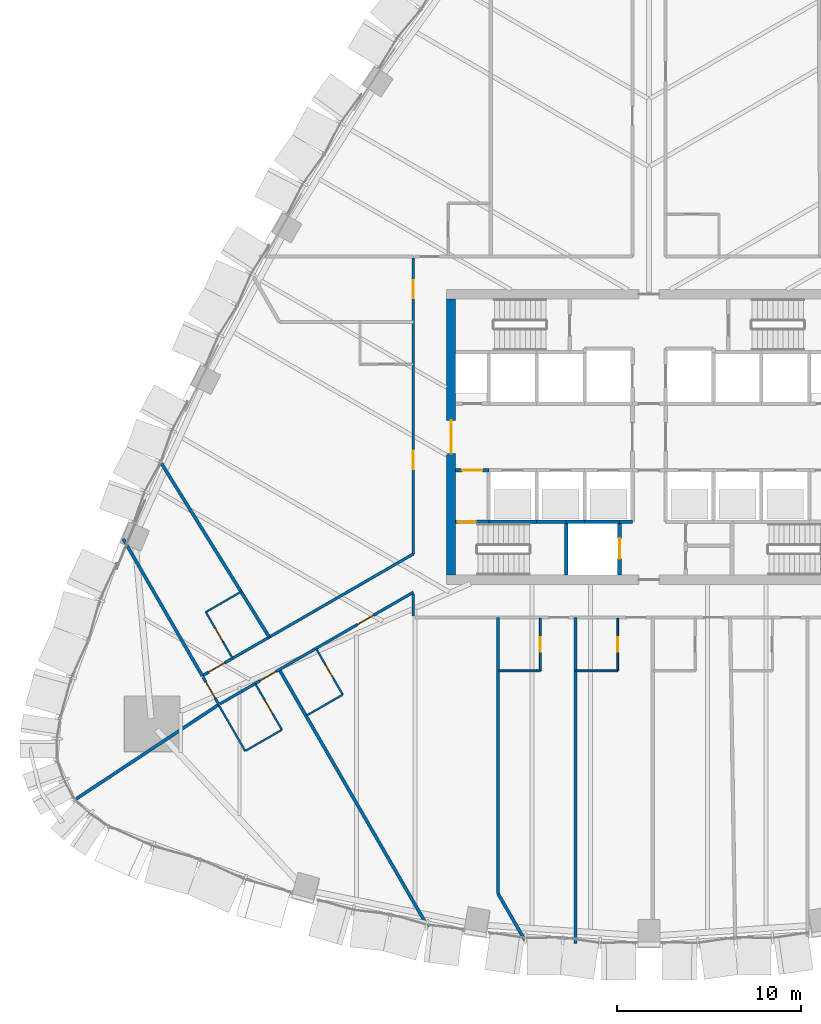
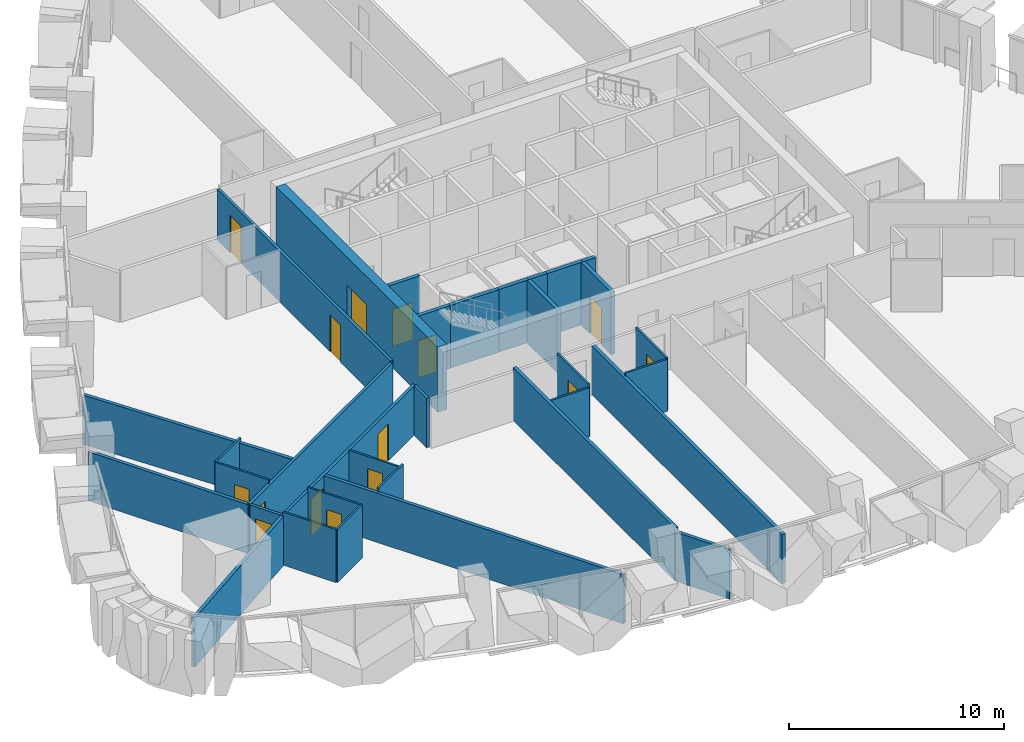
# One storey, part 15 of 24: 33 walls, 15 doors, 15 openings.
"""IFC4 building model written with IfcOpenShell, lengths in metres."""

from ifc_helpers import new_model, si_unit, direction, frame, frame_2d, origin, place, context, subcontext, project, spatial, rectangle, extrude, material, layer, layer_set, type_object, element, fill, save


model = new_model("IFC4")

# Units and contexts
model_context = context("Model", 3, precision=1e-05, world=origin(), true_north=direction((0.0, 1.0)))
body_context = subcontext(model_context, "Body", "Model", "MODEL_VIEW")
ifc_project = project(units=[si_unit("LENGTHUNIT", "METRE"), si_unit("AREAUNIT", "SQUARE_METRE"), si_unit("VOLUMEUNIT", "CUBIC_METRE"), si_unit("PLANEANGLEUNIT", "RADIAN"), si_unit("MASSUNIT", "GRAM", prefix="KILO")], contexts=[model_context])

# Site, building, storey
site_placement = place(None, origin())
site = spatial("IfcSite", under=ifc_project, at=site_placement, CompositionType="ELEMENT")
building_placement = place(site_placement, origin())
building = spatial("IfcBuilding", under=site, at=building_placement, Name="Sierra Prisma Convention Tower", CompositionType="ELEMENT")
storey_placement = place(building_placement, frame((0.0, 0.0, 55.39990234375)))
storey = spatial("IfcBuildingStorey", under=building, at=storey_placement, Name="L09", CompositionType="ELEMENT", Elevation=55.39990234375)

# Wall, opening, door
ifc_material_1 = material(Name="Gypsum board partition", Category="gypsum")
ifc_layer_1 = layer(ifc_material_1, 0.10009765625)
ifc_layer_set_1 = layer_set([ifc_layer_1], Name="Bathroom partition 100")
wall_type_1 = type_object("IfcWallType", Name="Bathroom partition 100", PredefinedType="PARTITIONING", material=ifc_layer_set_1)
wall_1_placement = place(storey_placement, frame((-21.37158203125, -13.41259765625, 0.0), z_axis=(0.0, 0.0, 1.0), x_axis=(0.499999802827, -0.866025517622, 0.0)))
wall_1 = element("IfcWall", 1, at=wall_1_placement, inside=storey, type_object=wall_type_1, Name="Partition L09 bath 1", PredefinedType="PARTITIONING", context=body_context, shape_type="SweptSolid", body=[
    extrude(rectangle(XDim=2.8701171875, YDim=0.10009765625, at=frame_2d((1.43505859375, 0.0))), origin(), (0.0, 0.0, 1.0), 3.0),
])
opening_1_placement = place(wall_1_placement, frame((1.034912109375, 0.0, 0.0)))
opening_1 = element("IfcOpeningElement", 2, at=opening_1_placement, cuts=wall_1, Name="Opening L09-D008", PredefinedType="OPENING", context=body_context, shape_type="SweptSolid", body=[
    extrude(rectangle(XDim=0.800048828125, YDim=2.10009765625, at=frame_2d((0.39990234375, 1.050048828125))), frame((0.0, 0.050048828125, 0.0), z_axis=(0.0, -1.0, 0.0), x_axis=(1.0, 0.0, 0.0)), (0.0, 0.0, 1.0), 0.10009765625),
])
ifc_material_2 = material(Name="Solid core timber door leaf", Category="wood")
door_type_1 = type_object("IfcDoorType", Name="Door 800x2100 plain", OperationType="SINGLE_SWING_LEFT", PredefinedType="DOOR", material=ifc_material_2)
door_1_placement = place(opening_1_placement, origin())
door_1 = element("IfcDoor", 3, at=door_1_placement, inside=storey, type_object=door_type_1, Name="Door L09 19", OperationType="SINGLE_SWING_LEFT", OverallHeight=2.10009765625, OverallWidth=0.800048828125, PredefinedType="DOOR", context=body_context, shape_type="SweptSolid", body=[
    extrude(rectangle(XDim=0.800048828125, YDim=2.10009765625, at=frame_2d((0.39990234375, 1.050048828125))), frame((0.0, 0.02490234375, 0.0), z_axis=(0.0, -1.0, 0.0), x_axis=(1.0, 0.0, 0.0)), (0.0, 0.0, 1.0), 0.050048828125),
])
fill(opening_1, door_1)

# Walls
wall_2_placement = place(storey_placement, frame((-19.9365234375, -15.898193359375, 0.0), z_axis=(0.0, 0.0, 1.0), x_axis=(-0.86602648383, -0.499998129301, 0.0)))
element("IfcWall", 4, at=wall_2_placement, inside=storey, type_object=wall_type_1, Name="Partition L09 bath 2", PredefinedType="PARTITIONING", context=body_context, shape_type="SweptSolid", body=[
    extrude(rectangle(XDim=2.2998046875, YDim=0.10009765625, at=frame_2d((1.14990234375, 0.0))), origin(), (0.0, 0.0, 1.0), 3.0),
])
wall_3_placement = place(storey_placement, frame((-21.92822265625, -17.048095703125, 0.0), z_axis=(0.0, 0.0, 1.0), x_axis=(-0.500036638401, 0.866004249561, 0.0)))
element("IfcWall", 5, at=wall_3_placement, inside=storey, type_object=wall_type_1, Name="Partition L09 bath 3", PredefinedType="PARTITIONING", context=body_context, shape_type="SweptSolid", body=[
    extrude(rectangle(XDim=2.869873046875, YDim=0.10009765625, at=frame_2d((1.43505859375, 0.0))), origin(), (0.0, 0.0, 1.0), 3.0),
])

# Wall, opening, door
wall_4_placement = place(storey_placement, frame((-22.630615234375, -11.991943359375, 0.0), z_axis=(0.0, 0.0, 1.0), x_axis=(-0.499999802827, 0.866025517622, 0.0)))
wall_4 = element("IfcWall", 6, at=wall_4_placement, inside=storey, type_object=wall_type_1, Name="Partition L09 bath 4", PredefinedType="PARTITIONING", context=body_context, shape_type="SweptSolid", body=[
    extrude(rectangle(XDim=2.8701171875, YDim=0.10009765625, at=frame_2d((1.43505859375, 0.0))), origin(), (0.0, 0.0, 1.0), 3.0),
])
opening_2_placement = place(wall_4_placement, frame((1.034912109375, 0.0, 0.0)))
opening_2 = element("IfcOpeningElement", 7, at=opening_2_placement, cuts=wall_4, Name="Opening L09-D007", PredefinedType="OPENING", context=body_context, shape_type="SweptSolid", body=[
    extrude(rectangle(XDim=0.800048828125, YDim=2.10009765625, at=frame_2d((0.39990234375, 1.050048828125))), frame((0.0, 0.050048828125, 0.0), z_axis=(0.0, -1.0, 0.0), x_axis=(1.0, 0.0, 0.0)), (0.0, 0.0, 1.0), 0.10009765625),
])
door_2_placement = place(opening_2_placement, origin())
door_2 = element("IfcDoor", 8, at=door_2_placement, inside=storey, type_object=door_type_1, Name="Door L09 16", OperationType="SINGLE_SWING_LEFT", OverallHeight=2.10009765625, OverallWidth=0.800048828125, PredefinedType="DOOR", context=body_context, shape_type="SweptSolid", body=[
    extrude(rectangle(XDim=0.800048828125, YDim=2.10009765625, at=frame_2d((0.39990234375, 1.050048828125))), frame((0.0, 0.02490234375, 0.0), z_axis=(0.0, -1.0, 0.0), x_axis=(1.0, 0.0, 0.0)), (0.0, 0.0, 1.0), 0.050048828125),
])
fill(opening_2, door_2)

# Wall
wall_5_placement = place(storey_placement, frame((-24.065673828125, -9.50634765625, 0.0), z_axis=(0.0, 0.0, 1.0), x_axis=(0.866044110172, 0.499967598186, 0.0)))
element("IfcWall", 9, at=wall_5_placement, inside=storey, type_object=wall_type_1, Name="Partition L09 bath 5", PredefinedType="PARTITIONING", context=body_context, shape_type="SweptSolid", body=[
    extrude(rectangle(XDim=2.270263671875, YDim=0.10009765625, at=frame_2d((1.13525390625, 0.0))), origin(), (0.0, 0.0, 1.0), 3.0),
])

# Wall, opening, door
wall_6_placement = place(storey_placement, frame((-18.06787109375, -11.50537109375, 0.0), z_axis=(0.0, 0.0, 1.0), x_axis=(0.500036638401, -0.866004249561, 0.0)))
wall_6 = element("IfcWall", 10, at=wall_6_placement, inside=storey, type_object=wall_type_1, Name="Partition L09 bath 6", PredefinedType="PARTITIONING", context=body_context, shape_type="SweptSolid", body=[
    extrude(rectangle(XDim=2.869873046875, YDim=0.10009765625, at=frame_2d((1.43505859375, 0.0))), origin(), (0.0, 0.0, 1.0), 2.797119140625),
])
opening_3_placement = place(wall_6_placement, frame((1.034912109375, 0.0, 0.0)))
opening_3 = element("IfcOpeningElement", 11, at=opening_3_placement, cuts=wall_6, Name="Opening L09-D009", PredefinedType="OPENING", context=body_context, shape_type="SweptSolid", body=[
    extrude(rectangle(XDim=0.800048828125, YDim=2.10009765625, at=frame_2d((0.39990234375, 1.050048828125))), frame((0.0, 0.050048828125, 0.0), z_axis=(0.0, -1.0, 0.0), x_axis=(1.0, 0.0, 0.0)), (0.0, 0.0, 1.0), 0.10009765625),
])
door_3_placement = place(opening_3_placement, origin())
door_3 = element("IfcDoor", 12, at=door_3_placement, inside=storey, type_object=door_type_1, Name="Door L09 21", OperationType="SINGLE_SWING_RIGHT", OverallHeight=2.10009765625, OverallWidth=0.800048828125, PredefinedType="DOOR", context=body_context, shape_type="SweptSolid", body=[
    extrude(rectangle(XDim=0.800048828125, YDim=2.10009765625, at=frame_2d((0.39990234375, 1.050048828125))), frame((0.0, 0.02490234375, 0.0), z_axis=(0.0, -1.0, 0.0), x_axis=(1.0, 0.0, 0.0)), (0.0, 0.0, 1.0), 0.050048828125),
])
fill(opening_3, door_3)

# Wall
wall_7_placement = place(storey_placement, frame((-16.6328125, -13.99072265625, 0.0), z_axis=(0.0, 0.0, 1.0), x_axis=(-0.866017224141, -0.500014167291, 0.0)))
element("IfcWall", 13, at=wall_7_placement, inside=storey, type_object=wall_type_1, Name="Partition L09 bath 7", PredefinedType="PARTITIONING", context=body_context, shape_type="SweptSolid", body=[
    extrude(rectangle(XDim=2.27001953125, YDim=0.10009765625, at=frame_2d((1.135009765625, 0.0))), origin(), (0.0, 0.0, 1.0), 3.0),
])

# Wall, opening, door
wall_8_placement = place(storey_placement, frame((-5.89990234375, -9.830078125, 0.0), z_axis=(0.0, 0.0, 1.0), x_axis=(0.0, -1.0, 0.0)))
wall_8 = element("IfcWall", 14, at=wall_8_placement, inside=storey, type_object=wall_type_1, Name="Partition L09 bath 12", PredefinedType="PARTITIONING", context=body_context, shape_type="SweptSolid", body=[
    extrude(rectangle(XDim=2.869873046875, YDim=0.10009765625, at=frame_2d((1.43505859375, 0.0))), origin(), (0.0, 0.0, 1.0), 3.0),
])
opening_4_placement = place(wall_8_placement, frame((1.034912109375, 0.0, 0.0)))
opening_4 = element("IfcOpeningElement", 15, at=opening_4_placement, cuts=wall_8, Name="Opening L09-D010", PredefinedType="OPENING", context=body_context, shape_type="SweptSolid", body=[
    extrude(rectangle(XDim=0.800048828125, YDim=2.10009765625, at=frame_2d((0.39990234375, 1.050048828125))), frame((0.0, 0.050048828125, 0.0), z_axis=(0.0, -1.0, 0.0), x_axis=(1.0, 0.0, 0.0)), (0.0, 0.0, 1.0), 0.10009765625),
])
door_4_placement = place(opening_4_placement, origin())
door_4 = element("IfcDoor", 16, at=door_4_placement, inside=storey, type_object=door_type_1, Name="Door L09 23", OperationType="SINGLE_SWING_RIGHT", OverallHeight=2.10009765625, OverallWidth=0.800048828125, PredefinedType="DOOR", context=body_context, shape_type="SweptSolid", body=[
    extrude(rectangle(XDim=0.800048828125, YDim=2.10009765625, at=frame_2d((0.39990234375, 1.050048828125))), frame((0.0, 0.02490234375, 0.0), z_axis=(0.0, -1.0, 0.0), x_axis=(1.0, 0.0, 0.0)), (0.0, 0.0, 1.0), 0.050048828125),
])
fill(opening_4, door_4)

# Wall
wall_9_placement = place(storey_placement, frame((-5.89990234375, -12.699951171875, 0.0), z_axis=(0.0, 0.0, 1.0), x_axis=(-1.0, 0.0, 0.0)))
element("IfcWall", 17, at=wall_9_placement, inside=storey, type_object=wall_type_1, Name="Partition L09 bath 13", PredefinedType="PARTITIONING", context=body_context, shape_type="SweptSolid", body=[
    extrude(rectangle(XDim=2.27001953125, YDim=0.10009765625, at=frame_2d((1.135009765625, 0.0))), origin(), (0.0, 0.0, 1.0), 2.797119140625),
])

# Wall, opening, door
wall_10_placement = place(storey_placement, frame((-1.699951171875, -9.830078125, 0.0), z_axis=(0.0, 0.0, 1.0), x_axis=(0.0, -1.0, 0.0)))
wall_10 = element("IfcWall", 18, at=wall_10_placement, inside=storey, type_object=wall_type_1, Name="Partition L09 bath 14", PredefinedType="PARTITIONING", context=body_context, shape_type="SweptSolid", body=[
    extrude(rectangle(XDim=2.869873046875, YDim=0.10009765625, at=frame_2d((1.43505859375, 0.0))), origin(), (0.0, 0.0, 1.0), 3.0),
])
opening_5_placement = place(wall_10_placement, frame((1.034912109375, 0.0, 0.0)))
opening_5 = element("IfcOpeningElement", 19, at=opening_5_placement, cuts=wall_10, Name="Opening L09-D011", PredefinedType="OPENING", context=body_context, shape_type="SweptSolid", body=[
    extrude(rectangle(XDim=0.800048828125, YDim=2.10009765625, at=frame_2d((0.39990234375, 1.050048828125))), frame((0.0, 0.050048828125, 0.0), z_axis=(0.0, -1.0, 0.0), x_axis=(1.0, 0.0, 0.0)), (0.0, 0.0, 1.0), 0.10009765625),
])
door_5_placement = place(opening_5_placement, origin())
door_5 = element("IfcDoor", 20, at=door_5_placement, inside=storey, type_object=door_type_1, Name="Door L09 25", OperationType="SINGLE_SWING_RIGHT", OverallHeight=2.10009765625, OverallWidth=0.800048828125, PredefinedType="DOOR", context=body_context, shape_type="SweptSolid", body=[
    extrude(rectangle(XDim=0.800048828125, YDim=2.10009765625, at=frame_2d((0.39990234375, 1.050048828125))), frame((0.0, 0.02490234375, 0.0), z_axis=(0.0, -1.0, 0.0), x_axis=(1.0, 0.0, 0.0)), (0.0, 0.0, 1.0), 0.050048828125),
])
fill(opening_5, door_5)

# Wall
wall_11_placement = place(storey_placement, frame((-1.699951171875, -12.699951171875, 0.0), z_axis=(0.0, 0.0, 1.0), x_axis=(-1.0, 0.0, 0.0)))
element("IfcWall", 21, at=wall_11_placement, inside=storey, type_object=wall_type_1, Name="Partition L09 bath 15", PredefinedType="PARTITIONING", context=body_context, shape_type="SweptSolid", body=[
    extrude(rectangle(XDim=2.27001953125, YDim=0.10009765625, at=frame_2d((1.135009765625, 0.0))), origin(), (0.0, 0.0, 1.0), 2.947021484375),
])

# Wall, opening, door
ifc_material_3 = material(Name="Concrete C30/37", Category="concrete")
ifc_layer_2 = layer(ifc_material_3, 0.199951171875)
ifc_layer_set_2 = layer_set([ifc_layer_2], Name="Core wall RC 200 C30/37")
wall_type_2 = type_object("IfcWallType", Name="Core wall RC 200 C30/37", PredefinedType="SOLIDWALL", material=ifc_layer_set_2)
wall_12_placement = place(storey_placement, frame((-10.5, -4.60009765625, 0.0), z_axis=(0.0, 0.0, 1.0), x_axis=(1.0, 0.0, 0.0)))
wall_12 = element("IfcWall", 22, at=wall_12_placement, inside=storey, type_object=wall_type_2, Name="Core wall L09 1", PredefinedType="SOLIDWALL", context=body_context, shape_type="SweptSolid", body=[
    extrude(rectangle(XDim=1.800048828125, YDim=0.199951171875, at=frame_2d((0.89990234375, 0.0))), origin(), (0.0, 0.0, 1.0), 3.550048828125),
])
opening_6_placement = place(wall_12_placement, frame((0.10009765625, 0.0, 0.0)))
opening_6 = element("IfcOpeningElement", 23, at=opening_6_placement, cuts=wall_12, Name="Opening L09-D035", PredefinedType="OPENING", context=body_context, shape_type="SweptSolid", body=[
    extrude(rectangle(XDim=1.0, YDim=2.10009765625, at=frame_2d((0.5, 1.050048828125))), frame((0.0, 0.10009765625, 0.0), z_axis=(0.0, -1.0, 0.0), x_axis=(1.0, 0.0, 0.0)), (0.0, 0.0, 1.0), 0.199951171875),
])
ifc_material_4 = material(Name="Steel fire door leaf", Category="steel")
door_type_2 = type_object("IfcDoorType", Name="Door 1000x2100 FD90S", OperationType="SINGLE_SWING_LEFT", PredefinedType="DOOR", material=ifc_material_4)
door_6_placement = place(opening_6_placement, origin())
door_6 = element("IfcDoor", 24, at=door_6_placement, inside=storey, type_object=door_type_2, Name="Door L09 55", OperationType="SINGLE_SWING_LEFT", OverallHeight=2.10009765625, OverallWidth=1.0, PredefinedType="DOOR", context=body_context, shape_type="SweptSolid", body=[
    extrude(rectangle(XDim=1.0, YDim=2.10009765625, at=frame_2d((0.5, 1.050048828125))), frame((0.0, 0.02490234375, 0.0), z_axis=(0.0, -1.0, 0.0), x_axis=(1.0, 0.0, 0.0)), (0.0, 0.0, 1.0), 0.050048828125),
])
fill(opening_6, door_6)

wall_13_placement = place(storey_placement, frame((-10.5, -1.800048828125, 0.0), z_axis=(0.0, 0.0, 1.0), x_axis=(1.0, 0.0, 0.0)))
wall_13 = element("IfcWall", 25, at=wall_13_placement, inside=storey, type_object=wall_type_2, Name="Core wall L09 2", PredefinedType="SOLIDWALL", context=body_context, shape_type="SweptSolid", body=[
    extrude(rectangle(XDim=1.800048828125, YDim=0.199951171875, at=frame_2d((0.89990234375, 0.0))), origin(), (0.0, 0.0, 1.0), 3.550048828125),
])
opening_7_placement = place(wall_13_placement, frame((0.35009765625, 0.0, 0.0)))
opening_7 = element("IfcOpeningElement", 26, at=opening_7_placement, cuts=wall_13, Name="Opening L09-D029", PredefinedType="OPENING", context=body_context, shape_type="SweptSolid", body=[
    extrude(rectangle(XDim=1.10009765625, YDim=2.10009765625, at=frame_2d((0.550048828125, 1.050048828125))), frame((0.0, 0.10009765625, 0.0), z_axis=(0.0, -1.0, 0.0), x_axis=(1.0, 0.0, 0.0)), (0.0, 0.0, 1.0), 0.199951171875),
])
ifc_material_5 = material(Name="Steel fire door leaf", Category="steel")
door_type_3 = type_object("IfcDoorType", Name="Door 1100x2100 FD90S", OperationType="SINGLE_SWING_LEFT", PredefinedType="DOOR", material=ifc_material_5)
door_7_placement = place(opening_7_placement, origin())
door_7 = element("IfcDoor", 27, at=door_7_placement, inside=storey, type_object=door_type_3, Name="Door L09 49", OperationType="SINGLE_SWING_RIGHT", OverallHeight=2.10009765625, OverallWidth=1.10009765625, PredefinedType="DOOR", context=body_context, shape_type="SweptSolid", body=[
    extrude(rectangle(XDim=1.10009765625, YDim=2.10009765625, at=frame_2d((0.550048828125, 1.050048828125))), frame((0.0, 0.02490234375, 0.0), z_axis=(0.0, -1.0, 0.0), x_axis=(1.0, 0.0, 0.0)), (0.0, 0.0, 1.0), 0.050048828125),
])
fill(opening_7, door_7)

# Walls
wall_14_placement = place(storey_placement, frame((-8.699951171875, -4.60009765625, 0.0), z_axis=(0.0, 0.0, 1.0), x_axis=(1.0, 0.0, 0.0)))
element("IfcWall", 28, at=wall_14_placement, inside=storey, type_object=wall_type_2, Name="Core wall L09 5", PredefinedType="SOLIDWALL", context=body_context, shape_type="SweptSolid", body=[
    extrude(rectangle(XDim=2.599853515625, YDim=0.199951171875, at=frame_2d((1.2998046875, 0.0))), origin(), (0.0, 0.0, 1.0), 3.550048828125),
])
wall_15_placement = place(storey_placement, frame((-6.10009765625, -4.60009765625, 0.0), z_axis=(0.0, 0.0, 1.0), x_axis=(1.0, 0.0, 0.0)))
element("IfcWall", 29, at=wall_15_placement, inside=storey, type_object=wall_type_2, Name="Core wall L09 11", PredefinedType="SOLIDWALL", context=body_context, shape_type="SweptSolid", body=[
    extrude(rectangle(XDim=1.60009765625, YDim=0.199951171875, at=frame_2d((0.800048828125, 0.0))), origin(), (0.0, 0.0, 1.0), 3.550048828125),
])
wall_16_placement = place(storey_placement, frame((-4.5, -4.60009765625, 0.0), z_axis=(0.0, 0.0, 1.0), x_axis=(0.0, -1.0, 0.0)))
element("IfcWall", 30, at=wall_16_placement, inside=storey, type_object=wall_type_2, Name="Core wall L09 17", PredefinedType="SOLIDWALL", context=body_context, shape_type="SweptSolid", body=[
    extrude(rectangle(XDim=2.89990234375, YDim=0.199951171875, at=frame_2d((1.449951171875, 0.0))), origin(), (0.0, 0.0, 1.0), 3.550048828125),
])
wall_17_placement = place(storey_placement, frame((-4.5, -4.60009765625, 0.0), z_axis=(0.0, 0.0, 1.0), x_axis=(1.0, 0.0, 0.0)))
element("IfcWall", 31, at=wall_17_placement, inside=storey, type_object=wall_type_2, Name="Core wall L09 18", PredefinedType="SOLIDWALL", context=body_context, shape_type="SweptSolid", body=[
    extrude(rectangle(XDim=1.0, YDim=0.199951171875, at=frame_2d((0.5, 0.0))), origin(), (0.0, 0.0, 1.0), 3.550048828125),
])
wall_18_placement = place(storey_placement, frame((-3.5, -4.60009765625, 0.0), z_axis=(0.0, 0.0, 1.0), x_axis=(1.0, 0.0, 0.0)))
element("IfcWall", 32, at=wall_18_placement, inside=storey, type_object=wall_type_2, Name="Core wall L09 21", PredefinedType="SOLIDWALL", context=body_context, shape_type="SweptSolid", body=[
    extrude(rectangle(XDim=1.89990234375, YDim=0.199951171875, at=frame_2d((0.949951171875, 0.0))), origin(), (0.0, 0.0, 1.0), 3.550048828125),
])

# Wall, opening, door
wall_19_placement = place(storey_placement, frame((-1.60009765625, -7.5, 0.0), z_axis=(0.0, 0.0, 1.0), x_axis=(0.0, 1.0, 0.0)))
wall_19 = element("IfcWall", 33, at=wall_19_placement, inside=storey, type_object=wall_type_2, Name="Core wall L09 29", PredefinedType="SOLIDWALL", context=body_context, shape_type="SweptSolid", body=[
    extrude(rectangle(XDim=2.89990234375, YDim=0.199951171875, at=frame_2d((1.449951171875, 0.0))), origin(), (0.0, 0.0, 1.0), 3.550048828125),
])
opening_8_placement = place(wall_19_placement, frame((0.89990234375, 0.0, 0.0)))
opening_8 = element("IfcOpeningElement", 34, at=opening_8_placement, cuts=wall_19, Name="Opening L09-D026", PredefinedType="OPENING", context=body_context, shape_type="SweptSolid", body=[
    extrude(rectangle(XDim=1.10009765625, YDim=2.10009765625, at=frame_2d((0.550048828125, 1.050048828125))), frame((0.0, 0.10009765625, 0.0), z_axis=(0.0, -1.0, 0.0), x_axis=(1.0, 0.0, 0.0)), (0.0, 0.0, 1.0), 0.199951171875),
])
ifc_material_6 = material(Name="Steel fire door leaf", Category="steel")
door_type_4 = type_object("IfcDoorType", Name="Door 1100x2100 EI 90 sliding lift landing", OperationType="SLIDING_TO_LEFT", PredefinedType="DOOR", material=ifc_material_6)
door_8_placement = place(opening_8_placement, origin())
door_8 = element("IfcDoor", 35, at=door_8_placement, inside=storey, type_object=door_type_4, Name="Door L09 46", OperationType="SLIDING_TO_RIGHT", OverallHeight=2.10009765625, OverallWidth=1.10009765625, PredefinedType="DOOR", context=body_context, shape_type="SweptSolid", body=[
    extrude(rectangle(XDim=1.10009765625, YDim=2.10009765625, at=frame_2d((0.550048828125, 1.050048828125))), frame((0.0, 0.02490234375, 0.0), z_axis=(0.0, -1.0, 0.0), x_axis=(1.0, 0.0, 0.0)), (0.0, 0.0, 1.0), 0.050048828125),
])
fill(opening_8, door_8)

# Wall
wall_20_placement = place(storey_placement, frame((-1.60009765625, -4.60009765625, 0.0), z_axis=(0.0, 0.0, 1.0), x_axis=(1.0, 0.0, 0.0)))
element("IfcWall", 36, at=wall_20_placement, inside=storey, type_object=wall_type_2, Name="Core wall L09 30", PredefinedType="SOLIDWALL", context=body_context, shape_type="SweptSolid", body=[
    extrude(rectangle(XDim=0.7001953125, YDim=0.199951171875, at=frame_2d((0.35009765625, 0.0))), origin(), (0.0, 0.0, 1.0), 3.550048828125),
])

# Wall, opening, door
ifc_material_7 = material(Name="Concrete C60/75", Category="concrete")
ifc_layer_3 = layer(ifc_material_7, 0.5)
ifc_layer_set_3 = layer_set([ifc_layer_3], Name="Core wall RC 500 C60/75")
wall_type_3 = type_object("IfcWallType", Name="Core wall RC 500 C60/75", PredefinedType="SHEAR", material=ifc_layer_set_3)
wall_21_placement = place(storey_placement, frame((-10.75, -7.5, 0.0), z_axis=(0.0, 0.0, 1.0), x_axis=(0.0, 1.0, 0.0)))
wall_21 = element("IfcWall", 37, at=wall_21_placement, inside=storey, type_object=wall_type_3, Name="Core wall W L09", PredefinedType="SHEAR", context=body_context, shape_type="SweptSolid", body=[
    extrude(rectangle(XDim=15.0, YDim=0.5, at=frame_2d((7.5, 0.0))), origin(), (0.0, 0.0, 1.0), 3.7001953125),
])
opening_9_placement = place(wall_21_placement, frame((6.60009765625, 0.0, 0.0)))
opening_9 = element("IfcOpeningElement", 38, at=opening_9_placement, cuts=wall_21, Name="Opening L09-D064", PredefinedType="OPENING", context=body_context, shape_type="SweptSolid", body=[
    extrude(rectangle(XDim=1.800048828125, YDim=2.10009765625, at=frame_2d((0.89990234375, 1.050048828125))), frame((0.0, 0.25, 0.0), z_axis=(0.0, -1.0, 0.0), x_axis=(1.0, 0.0, 0.0)), (0.0, 0.0, 1.0), 0.5),
])
ifc_material_8 = material(Name="Steel fire door leaf", Category="steel")
door_type_5 = type_object("IfcDoorType", Name="Door 1800x2100 FD60S", OperationType="DOUBLE_DOOR_SINGLE_SWING", PredefinedType="DOOR", material=ifc_material_8)
door_9_placement = place(opening_9_placement, origin())
door_9 = element("IfcDoor", 39, at=door_9_placement, inside=storey, type_object=door_type_5, Name="Door L09 61", OperationType="DOUBLE_DOOR_SINGLE_SWING", OverallHeight=2.10009765625, OverallWidth=1.800048828125, PredefinedType="DOOR", context=body_context, shape_type="SweptSolid", body=[
    extrude(rectangle(XDim=1.800048828125, YDim=2.10009765625, at=frame_2d((0.89990234375, 1.050048828125))), frame((0.0, 0.02490234375, 0.0), z_axis=(0.0, -1.0, 0.0), x_axis=(1.0, 0.0, 0.0)), (0.0, 0.0, 1.0), 0.050048828125),
])
fill(opening_9, door_9)

ifc_material_9 = material(Name="Gypsum board partition", Category="gypsum")
ifc_layer_4 = layer(ifc_material_9, 0.14990234375)
ifc_layer_set_4 = layer_set([ifc_layer_4], Name="Corridor wall 150 gypsum EI 60")
wall_type_4 = type_object("IfcWallType", Name="Corridor wall 150 gypsum EI 60", PredefinedType="PARTITIONING", material=ifc_layer_set_4)
wall_22_placement = place(storey_placement, frame((-12.800048828125, -6.350830078125, 0.0), z_axis=(0.0, 0.0, 1.0), x_axis=(-0.866018462269, -0.500012022864, 0.0)))
wall_22 = element("IfcWall", 40, at=wall_22_placement, inside=storey, type_object=wall_type_4, Name="Partition L09 corr 1", PredefinedType="PARTITIONING", context=body_context, shape_type="SweptSolid", body=[
    extrude(rectangle(XDim=13.234130859375, YDim=0.14990234375, at=frame_2d((6.6171875, 0.0))), origin(), (0.0, 0.0, 1.0), 2.797119140625),
])
opening_10_placement = place(wall_22_placement, frame((11.833984375, 0.0, 0.0)))
opening_10 = element("IfcOpeningElement", 41, at=opening_10_placement, cuts=wall_22, Name="Opening L09-D049", PredefinedType="OPENING", context=body_context, shape_type="SweptSolid", body=[
    extrude(rectangle(XDim=1.0, YDim=2.10009765625, at=frame_2d((0.5, 1.050048828125))), frame((0.0, 0.074951171875, 0.0), z_axis=(0.0, -1.0, 0.0), x_axis=(1.0, 0.0, 0.0)), (0.0, 0.0, 1.0), 0.14990234375),
])
ifc_material_10 = material(Name="Steel fire door leaf", Category="steel")
door_type_6 = type_object("IfcDoorType", Name="Door 1000x2100 FD30S", OperationType="SINGLE_SWING_LEFT", PredefinedType="DOOR", material=ifc_material_10)
door_10_placement = place(opening_10_placement, origin())
door_10 = element("IfcDoor", 42, at=door_10_placement, inside=storey, type_object=door_type_6, Name="Door L09 15", OperationType="SINGLE_SWING_LEFT", OverallHeight=2.10009765625, OverallWidth=1.0, PredefinedType="DOOR", context=body_context, shape_type="SweptSolid", body=[
    extrude(rectangle(XDim=1.0, YDim=2.10009765625, at=frame_2d((0.5, 1.050048828125))), frame((0.0, 0.02490234375, 0.0), z_axis=(0.0, -1.0, 0.0), x_axis=(1.0, 0.0, 0.0)), (0.0, 0.0, 1.0), 0.050048828125),
])
fill(opening_10, door_10)

wall_23_placement = place(storey_placement, frame((-24.220947265625, -13.037109375, 0.0), z_axis=(0.0, 0.0, 1.0), x_axis=(0.499955923987, -0.866050849587, 0.0)))
wall_23 = element("IfcWall", 43, at=wall_23_placement, inside=storey, type_object=wall_type_4, Name="Partition L09 corr 2", PredefinedType="PARTITIONING", context=body_context, shape_type="SweptSolid", body=[
    extrude(rectangle(XDim=1.719970703125, YDim=0.14990234375, at=frame_2d((0.85986328125, 0.0))), origin(), (0.0, 0.0, 1.0), 2.797119140625),
])
opening_11_placement = place(wall_23_placement, frame((0.309814453125, 0.0, 0.0)))
opening_11 = element("IfcOpeningElement", 44, at=opening_11_placement, cuts=wall_23, Name="Opening L09-D050", PredefinedType="OPENING", context=body_context, shape_type="SweptSolid", body=[
    extrude(rectangle(XDim=1.0, YDim=2.10009765625, at=frame_2d((0.5, 1.050048828125))), frame((0.0, 0.074951171875, 0.0), z_axis=(0.0, -1.0, 0.0), x_axis=(1.0, 0.0, 0.0)), (0.0, 0.0, 1.0), 0.14990234375),
])
door_11_placement = place(opening_11_placement, origin())
door_11 = element("IfcDoor", 45, at=door_11_placement, inside=storey, type_object=door_type_6, Name="Door L09 17", OperationType="SINGLE_SWING_LEFT", OverallHeight=2.10009765625, OverallWidth=1.0, PredefinedType="DOOR", context=body_context, shape_type="SweptSolid", body=[
    extrude(rectangle(XDim=1.0, YDim=2.10009765625, at=frame_2d((0.5, 1.050048828125))), frame((0.0, 0.02490234375, 0.0), z_axis=(0.0, -1.0, 0.0), x_axis=(1.0, 0.0, 0.0)), (0.0, 0.0, 1.0), 0.050048828125),
])
fill(opening_11, door_11)

# Wall, openings, doors
wall_24_placement = place(storey_placement, frame((-23.291748046875, -14.48681640625, 0.0), z_axis=(0.0, 0.0, 1.0), x_axis=(0.866017117934, 0.50001435124, 0.0)))
wall_24 = element("IfcWall", 46, at=wall_24_placement, inside=storey, type_object=wall_type_4, Name="Partition L09 corr 3", PredefinedType="PARTITIONING", context=body_context, shape_type="SweptSolid", body=[
    extrude(rectangle(XDim=12.114990234375, YDim=0.14990234375, at=frame_2d((6.0576171875, 0.0))), origin(), (0.0, 0.0, 1.0), 2.797119140625),
])
opening_12_placement = place(wall_24_placement, frame((2.50732421875, 0.0, 0.0)))
opening_12 = element("IfcOpeningElement", 47, at=opening_12_placement, cuts=wall_24, Name="Opening L09-D051", PredefinedType="OPENING", context=body_context, shape_type="SweptSolid", body=[
    extrude(rectangle(XDim=1.0, YDim=2.10009765625, at=frame_2d((0.5, 1.050048828125))), frame((0.0, 0.074951171875, 0.0), z_axis=(0.0, -1.0, 0.0), x_axis=(1.0, 0.0, 0.0)), (0.0, 0.0, 1.0), 0.14990234375),
])
opening_13_placement = place(wall_24_placement, frame((8.61474609375, 0.0, 0.0)))
opening_13 = element("IfcOpeningElement", 48, at=opening_13_placement, cuts=wall_24, Name="Opening L09-D052", PredefinedType="OPENING", context=body_context, shape_type="SweptSolid", body=[
    extrude(rectangle(XDim=1.0, YDim=2.10009765625, at=frame_2d((0.5, 1.050048828125))), frame((0.0, 0.074951171875, 0.0), z_axis=(0.0, -1.0, 0.0), x_axis=(1.0, 0.0, 0.0)), (0.0, 0.0, 1.0), 0.14990234375),
])
door_12_placement = place(opening_12_placement, origin())
door_12 = element("IfcDoor", 49, at=door_12_placement, inside=storey, type_object=door_type_6, Name="Door L09 18", OperationType="SINGLE_SWING_LEFT", OverallHeight=2.10009765625, OverallWidth=1.0, PredefinedType="DOOR", context=body_context, shape_type="SweptSolid", body=[
    extrude(rectangle(XDim=1.0, YDim=2.10009765625, at=frame_2d((0.5, 1.050048828125))), frame((0.0, 0.02490234375, 0.0), z_axis=(0.0, -1.0, 0.0), x_axis=(1.0, 0.0, 0.0)), (0.0, 0.0, 1.0), 0.050048828125),
])
fill(opening_12, door_12)
door_13_placement = place(opening_13_placement, origin())
door_13 = element("IfcDoor", 50, at=door_13_placement, inside=storey, type_object=door_type_6, Name="Door L09 20", OperationType="SINGLE_SWING_LEFT", OverallHeight=2.10009765625, OverallWidth=1.0, PredefinedType="DOOR", context=body_context, shape_type="SweptSolid", body=[
    extrude(rectangle(XDim=1.0, YDim=2.10009765625, at=frame_2d((0.5, 1.050048828125))), frame((0.0, 0.02490234375, 0.0), z_axis=(0.0, -1.0, 0.0), x_axis=(1.0, 0.0, 0.0)), (0.0, 0.0, 1.0), 0.050048828125),
])
fill(opening_13, door_13)

# Wall
wall_25_placement = place(storey_placement, frame((-12.800048828125, -8.52099609375, 0.0), z_axis=(0.0, 0.0, 1.0), x_axis=(0.0, -1.0, 0.0)))
element("IfcWall", 51, at=wall_25_placement, inside=storey, type_object=wall_type_4, Name="Partition L09 corr 4", PredefinedType="PARTITIONING", context=body_context, shape_type="SweptSolid", body=[
    extrude(rectangle(XDim=1.198974609375, YDim=0.14990234375, at=frame_2d((0.599609375, 0.0))), origin(), (0.0, 0.0, 1.0), 2.797119140625),
])

# Wall, openings, doors
wall_26_placement = place(storey_placement, frame((-12.800048828125, 9.719970703125, 0.0), z_axis=(0.0, 0.0, 1.0), x_axis=(0.0, -1.0, 0.0)))
wall_26 = element("IfcWall", 52, at=wall_26_placement, inside=storey, type_object=wall_type_4, Name="Partition L09 corr 5", PredefinedType="PARTITIONING", context=body_context, shape_type="SweptSolid", body=[
    extrude(rectangle(XDim=16.07080078125, YDim=0.14990234375, at=frame_2d((8.035400390625, 0.0))), origin(), (0.0, 0.0, 1.0), 2.8671875),
])
opening_14_placement = place(wall_26_placement, frame((1.1953125, 0.0, 0.0)))
opening_14 = element("IfcOpeningElement", 53, at=opening_14_placement, cuts=wall_26, Name="Opening L09-D047", PredefinedType="OPENING", context=body_context, shape_type="SweptSolid", body=[
    extrude(rectangle(XDim=1.0, YDim=2.10009765625, at=frame_2d((0.5, 1.050048828125))), frame((0.0, 0.074951171875, 0.0), z_axis=(0.0, -1.0, 0.0), x_axis=(1.0, 0.0, 0.0)), (0.0, 0.0, 1.0), 0.14990234375),
])
opening_15_placement = place(wall_26_placement, frame((10.470947265625, 0.0, 0.0)))
opening_15 = element("IfcOpeningElement", 54, at=opening_15_placement, cuts=wall_26, Name="Opening L09-D048", PredefinedType="OPENING", context=body_context, shape_type="SweptSolid", body=[
    extrude(rectangle(XDim=1.0, YDim=2.10009765625, at=frame_2d((0.5, 1.050048828125))), frame((0.0, 0.074951171875, 0.0), z_axis=(0.0, -1.0, 0.0), x_axis=(1.0, 0.0, 0.0)), (0.0, 0.0, 1.0), 0.14990234375),
])
door_14_placement = place(opening_14_placement, origin())
door_14 = element("IfcDoor", 55, at=door_14_placement, inside=storey, type_object=door_type_6, Name="Door L09 12", OperationType="SINGLE_SWING_RIGHT", OverallHeight=2.10009765625, OverallWidth=1.0, PredefinedType="DOOR", context=body_context, shape_type="SweptSolid", body=[
    extrude(rectangle(XDim=1.0, YDim=2.10009765625, at=frame_2d((0.5, 1.050048828125))), frame((0.0, 0.02490234375, 0.0), z_axis=(0.0, -1.0, 0.0), x_axis=(1.0, 0.0, 0.0)), (0.0, 0.0, 1.0), 0.050048828125),
])
fill(opening_14, door_14)
door_15_placement = place(opening_15_placement, origin())
door_15 = element("IfcDoor", 56, at=door_15_placement, inside=storey, type_object=door_type_6, Name="Door L09 13", OperationType="SINGLE_SWING_LEFT", OverallHeight=2.10009765625, OverallWidth=1.0, PredefinedType="DOOR", context=body_context, shape_type="SweptSolid", body=[
    extrude(rectangle(XDim=1.0, YDim=2.10009765625, at=frame_2d((0.5, 1.050048828125))), frame((0.0, 0.02490234375, 0.0), z_axis=(0.0, -1.0, 0.0), x_axis=(1.0, 0.0, 0.0)), (0.0, 0.0, 1.0), 0.050048828125),
])
fill(opening_15, door_15)

# Walls
ifc_material_11 = material(Name="Acoustic gypsum board partition", Category="gypsum")
ifc_layer_5 = layer(ifc_material_11, 0.175048828125)
ifc_layer_set_5 = layer_set([ifc_layer_5], Name="Guest room party wall 175 acoustic EI 60")
wall_type_5 = type_object("IfcWallType", Name="Guest room party wall 175 acoustic EI 60", PredefinedType="PARTITIONING", material=ifc_layer_set_5)
wall_27_placement = place(storey_placement, frame((-31.10791015625, -19.652587890625, 0.0), z_axis=(0.0, 0.0, 1.0), x_axis=(0.833961909898, 0.55182201192, 0.0)))
element("IfcWall", 57, at=wall_27_placement, inside=storey, type_object=wall_type_5, Name="Partition L09 hparty 1", PredefinedType="PARTITIONING", context=body_context, shape_type="SweptSolid", body=[
    extrude(rectangle(XDim=9.289306640625, YDim=0.175048828125, at=frame_2d((4.64453125, 0.0))), origin(), (0.0, 0.0, 1.0), 2.7841796875),
])
wall_28_placement = place(storey_placement, frame((-24.260986328125, -12.968017578125, 0.0), z_axis=(0.0, 0.0, 1.0), x_axis=(-0.500006467099, 0.866021669971, 0.0)))
element("IfcWall", 58, at=wall_28_placement, inside=storey, type_object=wall_type_5, Name="Partition L09 hparty 2", PredefinedType="PARTITIONING", context=body_context, shape_type="SweptSolid", body=[
    extrude(rectangle(XDim=8.58203125, YDim=0.175048828125, at=frame_2d((4.291015625, 0.0))), origin(), (0.0, 0.0, 1.0), 2.7841796875),
])
wall_29_placement = place(storey_placement, frame((-20.623779296875, -10.867919921875, 0.0), z_axis=(0.0, 0.0, 1.0), x_axis=(-0.527163606433, 0.849763809569, 0.0)))
element("IfcWall", 59, at=wall_29_placement, inside=storey, type_object=wall_type_5, Name="Partition L09 hparty 3", PredefinedType="PARTITIONING", context=body_context, shape_type="SweptSolid", body=[
    extrude(rectangle(XDim=11.102783203125, YDim=0.175048828125, at=frame_2d((5.55126953125, 0.0))), origin(), (0.0, 0.0, 1.0), 2.7841796875),
])
wall_30_placement = place(storey_placement, frame((-20.07470703125, -12.62939453125, 0.0), z_axis=(0.0, 0.0, 1.0), x_axis=(0.499997848404, -0.866026646006, 0.0)))
element("IfcWall", 60, at=wall_30_placement, inside=storey, type_object=wall_type_5, Name="Partition L09 hparty 7", PredefinedType="PARTITIONING", context=body_context, shape_type="SweptSolid", body=[
    extrude(rectangle(XDim=16.140625, YDim=0.175048828125, at=frame_2d((8.0703125, 0.0))), origin(), (0.0, 0.0, 1.0), 2.7841796875),
])
wall_31_placement = place(storey_placement, frame((-8.199951171875, -9.800048828125, 0.0), z_axis=(0.0, 0.0, 1.0), x_axis=(0.0, -1.0, 0.0)))
element("IfcWall", 61, at=wall_31_placement, inside=storey, type_object=wall_type_5, Name="Partition L09 hparty 9", PredefinedType="PARTITIONING", context=body_context, shape_type="SweptSolid", body=[
    extrude(rectangle(XDim=14.99658203125, YDim=0.175048828125, at=frame_2d((7.498291015625, 0.0))), origin(), (0.0, 0.0, 1.0), 3.0),
])
wall_32_placement = place(storey_placement, frame((-8.199951171875, -24.796630859375, 0.0), z_axis=(0.0, 0.0, 1.0), x_axis=(0.499998917442, -0.866026028799, 0.0)))
element("IfcWall", 62, at=wall_32_placement, inside=storey, type_object=wall_type_5, Name="Partition L09 hparty 10", PredefinedType="PARTITIONING", context=body_context, shape_type="SweptSolid", body=[
    extrude(rectangle(XDim=2.90478515625, YDim=0.175048828125, at=frame_2d((1.452392578125, 0.0))), origin(), (0.0, 0.0, 1.0), 2.7841796875),
])
wall_33_placement = place(storey_placement, frame((-4.0, -9.800048828125, 0.0), z_axis=(0.0, 0.0, 1.0), x_axis=(0.0, -1.0, 0.0)))
element("IfcWall", 63, at=wall_33_placement, inside=storey, type_object=wall_type_5, Name="Partition L09 hparty 11", PredefinedType="PARTITIONING", context=body_context, shape_type="SweptSolid", body=[
    extrude(rectangle(XDim=17.715087890625, YDim=0.175048828125, at=frame_2d((8.857421875, 0.0))), origin(), (0.0, 0.0, 1.0), 2.7841796875),
])

save(model, "model.ifc")
